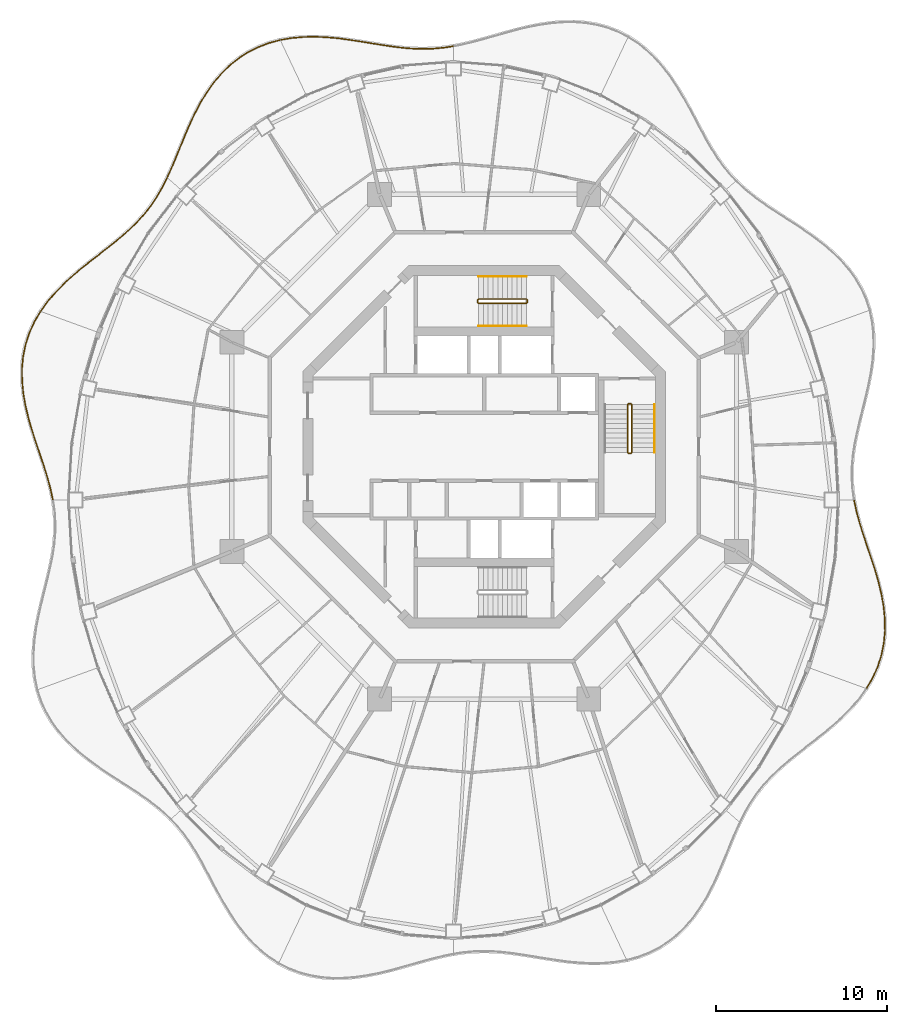
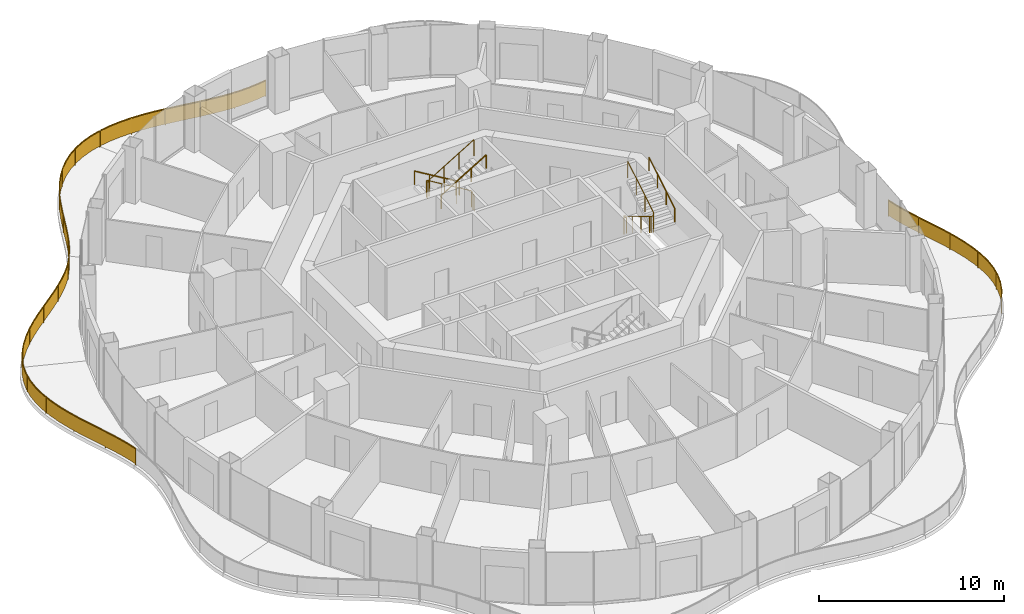
# One storey, part 16 of 17: 10 railings.
"""IFC4 building model written with IfcOpenShell, lengths in metres."""

from ifc_helpers import new_model, si_unit, direction, frame, origin, origin_2d, place, context, subcontext, project, spatial, polyline, rectangle, circle, outline, extrude, material, type_object, element, save


model = new_model("IFC4")

# Units and contexts
model_context = context("Model", 3, precision=1e-05, world=origin(), true_north=direction((0.0, 1.0)))
body_context = subcontext(model_context, "Body", "Model", "MODEL_VIEW")
ifc_project = project(units=[si_unit("LENGTHUNIT", "METRE"), si_unit("AREAUNIT", "SQUARE_METRE"), si_unit("VOLUMEUNIT", "CUBIC_METRE"), si_unit("PLANEANGLEUNIT", "RADIAN"), si_unit("MASSUNIT", "GRAM", prefix="KILO")], contexts=[model_context])

# Site, building, storey
site_placement = place(None, origin())
site = spatial("IfcSite", under=ifc_project, at=site_placement, CompositionType="ELEMENT")
building_placement = place(site_placement, origin())
building = spatial("IfcBuilding", under=site, at=building_placement, Name="Nagisa Residences", CompositionType="ELEMENT")
storey_placement = place(building_placement, frame((0.0, 0.0, 288.10009765625)))
storey = spatial("IfcBuildingStorey", under=building, at=storey_placement, Name="L73", CompositionType="ELEMENT", Elevation=288.10009765625)

# Railings
ifc_material_1 = material(Name="Stainless steel 316", Category="steel")
railing_type_1 = type_object("IfcRailingType", Name="BALCONY GUARD 1100", PredefinedType="BALUSTRADE", material=ifc_material_1)
railing_1_placement = place(storey_placement, frame((-1.83447265625, 23.455810546875, 0.0)))
element("IfcRailing", 1, at=railing_1_placement, inside=storey, type_object=railing_type_1, Name="guard:L73:bal04-0", PredefinedType="BALUSTRADE", context=body_context, shape_type="SweptSolid", body=[
    extrude(outline(polyline([(-0.53759765625, -0.106689453125), (0.003662109375, -0.024658203125), (-0.003662109375, 0.024658203125), (-0.54345703125, -0.056884765625), (-1.123779296875, -0.11083984375), (-1.705810546875, -0.130126953125), (-2.29345703125, -0.1162109375), (-2.889892578125, -0.0712890625), (-3.480712890625, 0.002197265625), (-4.10302734375, 0.092529296875), (-4.740478515625, 0.1953125), (-5.392578125, 0.301513671875), (-6.05810546875, 0.402099609375), (-6.71826171875, 0.49267578125), (-7.4033203125, 0.5537109375), (-8.091796875, 0.58154296875), (-8.77880859375, 0.5673828125), (-9.458251953125, 0.50537109375), (-10.07763671875, 0.39892578125), (-10.0693359375, 0.349609375), (-9.451904296875, 0.45556640625), (-8.77587890625, 0.517578125), (-8.09228515625, 0.53125), (-7.40673828125, 0.50390625), (-6.72412109375, 0.44287109375), (-6.0654296875, 0.352783203125), (-5.400390625, 0.252197265625), (-4.748291015625, 0.14599609375), (-4.11083984375, 0.043212890625), (-3.487548828125, -0.047607421875), (-2.894775390625, -0.12109375), (-2.2958984375, -0.166015625), (-1.705810546875, -0.180419921875), (-1.120849609375, -0.16064453125), (-0.53759765625, -0.106689453125)])), frame((0.0, 0.0, 1.050048828125)), (0.0, 0.0, 1.0), 0.050048828125),
    extrude(outline(polyline([(-0.539794921875, -0.088623046875), (0.0009765625, -0.0068359375), (-0.0009765625, 0.0068359375), (-0.541259765625, -0.074951171875), (-1.122802734375, -0.128662109375), (-1.705810546875, -0.148193359375), (-2.29443359375, -0.134033203125), (-2.8916015625, -0.089111328125), (-3.483154296875, -0.015869140625), (-4.10595703125, 0.07470703125), (-4.7431640625, 0.177490234375), (-5.3955078125, 0.28369140625), (-6.060791015625, 0.38427734375), (-6.720458984375, 0.474609375), (-7.404541015625, 0.535888671875), (-8.092041015625, 0.5634765625), (-8.77783203125, 0.549560546875), (-9.4560546875, 0.4873046875), (-10.07470703125, 0.381103515625), (-10.072265625, 0.367431640625), (-9.4541015625, 0.4736328125), (-8.77685546875, 0.535400390625), (-8.092041015625, 0.54931640625), (-7.405517578125, 0.521728515625), (-6.721923828125, 0.4609375), (-6.062744140625, 0.37060546875), (-5.3974609375, 0.27001953125), (-4.74560546875, 0.163818359375), (-4.10791015625, 0.06103515625), (-3.485107421875, -0.029541015625), (-2.89306640625, -0.103271484375), (-2.294921875, -0.148193359375), (-1.705810546875, -0.162353515625), (-1.121826171875, -0.142822265625), (-0.539794921875, -0.088623046875)])), frame((0.0, 0.0, 0.06005859375)), (0.0, 0.0, 1.0), 0.989990234375),
    extrude(rectangle(XDim=0.0400390625, YDim=0.0400390625, at=origin_2d()), origin(), (0.0, 0.0, 1.0), 1.050048828125),
    extrude(rectangle(XDim=0.0400390625, YDim=0.0400390625, at=origin_2d()), frame((-2.019287109375, -0.147705078125, 0.0)), (0.0, 0.0, 1.0), 1.050048828125),
    extrude(rectangle(XDim=0.0400390625, YDim=0.0400390625, at=origin_2d()), frame((-4.035400390625, 0.057373046875, 0.0)), (0.0, 0.0, 1.0), 1.050048828125),
    extrude(rectangle(XDim=0.0400390625, YDim=0.0400390625, at=origin_2d()), frame((-6.038818359375, 0.3740234375, 0.0)), (0.0, 0.0, 1.0), 1.050048828125),
    extrude(rectangle(XDim=0.0400390625, YDim=0.0400390625, at=origin_2d()), frame((-8.057373046875, 0.554931640625, 0.0)), (0.0, 0.0, 1.0), 1.050048828125),
    extrude(rectangle(XDim=0.0400390625, YDim=0.0400390625, at=origin_2d()), frame((-10.073486328125, 0.374267578125, 0.0)), (0.0, 0.0, 1.0), 1.050048828125),
])
railing_2_placement = place(storey_placement, frame((-11.983642578125, 23.813720703125, 0.0)))
element("IfcRailing", 2, at=railing_2_placement, inside=storey, type_object=railing_type_1, Name="guard:L73:bal05-0", PredefinedType="BALUSTRADE", context=body_context, shape_type="SweptSolid", body=[
    extrude(outline(polyline([(-0.615966796875, -0.191162109375), (0.006591796875, -0.024169921875), (-0.006591796875, 0.024169921875), (-0.631591796875, -0.143310546875), (-1.276123046875, -0.389892578125), (-1.887451171875, -0.701416015625), (-2.4619140625, -1.076171875), (-2.992431640625, -1.509033203125), (-3.47119140625, -1.98974609375), (-3.917236328125, -2.525634765625), (-4.3212890625, -3.100341796875), (-4.685302734375, -3.70556640625), (-5.014404296875, -4.33203125), (-5.30126953125, -4.95947265625), (-5.577392578125, -5.6005859375), (-5.83837890625, -6.236572265625), (-6.09228515625, -6.860107421875), (-6.347412109375, -7.46484375), (-6.59228515625, -8.008056640625), (-6.546875, -8.028564453125), (-6.301513671875, -7.48486328125), (-6.0458984375, -6.879150390625), (-5.7919921875, -6.255615234375), (-5.531494140625, -5.6201171875), (-5.25537109375, -4.97998046875), (-4.969482421875, -4.35400390625), (-4.641845703125, -3.72998046875), (-4.279296875, -3.127685546875), (-3.877685546875, -2.555908203125), (-3.43408203125, -2.0234375), (-2.958740234375, -1.546142578125), (-2.43212890625, -1.11669921875), (-1.862548828125, -0.744873046875), (-1.255615234375, -0.435791015625), (-0.615966796875, -0.191162109375)])), frame((0.0, 0.0, 1.050048828125)), (0.0, 0.0, 1.0), 0.050048828125),
    extrude(outline(polyline([(-0.62158203125, -0.173828125), (0.001708984375, -0.0068359375), (-0.001708984375, 0.0068359375), (-0.6259765625, -0.16064453125), (-1.268798828125, -0.406494140625), (-1.87841796875, -0.717041015625), (-2.451171875, -1.0908203125), (-2.980224609375, -1.5224609375), (-3.457763671875, -2.001953125), (-3.903076171875, -2.53662109375), (-4.30615234375, -3.110107421875), (-4.669677734375, -3.71435546875), (-4.998291015625, -4.33984375), (-5.28466796875, -4.966796875), (-5.560791015625, -5.607666015625), (-5.82177734375, -6.243408203125), (-6.075439453125, -6.866943359375), (-6.330810546875, -7.47216796875), (-6.575927734375, -8.015380859375), (-6.563232421875, -8.021240234375), (-6.318115234375, -7.4775390625), (-6.062744140625, -6.872314453125), (-5.80859375, -6.248779296875), (-5.548095703125, -5.613037109375), (-5.27197265625, -4.97265625), (-4.985595703125, -4.34619140625), (-4.657470703125, -3.72119140625), (-4.29443359375, -3.117919921875), (-3.891845703125, -2.544921875), (-3.447509765625, -2.01123046875), (-2.970947265625, -1.53271484375), (-2.44287109375, -1.10205078125), (-1.87158203125, -0.729248046875), (-1.262939453125, -0.419189453125), (-0.62158203125, -0.173828125)])), frame((0.0, 0.0, 0.06005859375)), (0.0, 0.0, 1.0), 0.989990234375),
    extrude(rectangle(XDim=0.0400390625, YDim=0.0400390625, at=origin_2d()), origin(), (0.0, 0.0, 1.0), 1.050048828125),
    extrude(rectangle(XDim=0.0400390625, YDim=0.0400390625, at=origin_2d()), frame((-2.005615234375, -0.808349609375, 0.0)), (0.0, 0.0, 1.0), 1.050048828125),
    extrude(rectangle(XDim=0.0400390625, YDim=0.0400390625, at=origin_2d()), frame((-3.63671875, -2.227783203125, 0.0)), (0.0, 0.0, 1.0), 1.050048828125),
    extrude(rectangle(XDim=0.0400390625, YDim=0.0400390625, at=origin_2d()), frame((-4.8310546875, -4.036865234375, 0.0)), (0.0, 0.0, 1.0), 1.050048828125),
    extrude(rectangle(XDim=0.0400390625, YDim=0.0400390625, at=origin_2d()), frame((-5.7216796875, -6.017822265625, 0.0)), (0.0, 0.0, 1.0), 1.050048828125),
    extrude(rectangle(XDim=0.0400390625, YDim=0.0400390625, at=origin_2d()), frame((-6.569580078125, -8.018310546875, 0.0)), (0.0, 0.0, 1.0), 1.050048828125),
])
railing_3_placement = place(storey_placement, frame((-18.58251953125, 15.7294921875, 0.0)))
element("IfcRailing", 3, at=railing_3_placement, inside=storey, type_object=railing_type_1, Name="guard:L73:bal06-0", PredefinedType="BALUSTRADE", context=body_context, shape_type="SweptSolid", body=[
    extrude(outline(polyline([(-0.25341796875, -0.556884765625), (0.022216796875, -0.01123046875), (-0.022216796875, 0.01123046875), (-0.29736328125, -0.532958984375), (-0.617919921875, -1.0849609375), (-0.969970703125, -1.606689453125), (-1.357421875, -2.100830078125), (-1.78271484375, -2.57080078125), (-2.236328125, -3.009033203125), (-2.73291015625, -3.44677734375), (-3.259033203125, -3.87744140625), (-3.80810546875, -4.30859375), (-4.370849609375, -4.746337890625), (-4.930908203125, -5.18408203125), (-5.490478515625, -5.65380859375), (-6.03076171875, -6.146728515625), (-6.540771484375, -6.66650390625), (-7.009033203125, -7.21533203125), (-7.399658203125, -7.754638671875), (-7.359130859375, -7.783935546875), (-6.969482421875, -7.24609375), (-6.503662109375, -6.7001953125), (-5.99609375, -6.182861328125), (-5.457275390625, -5.69140625), (-4.899169921875, -5.22314453125), (-4.340087890625, -4.785888671875), (-3.77734375, -4.34814453125), (-3.227783203125, -3.91650390625), (-2.70068359375, -3.48486328125), (-2.2021484375, -3.045654296875), (-1.74658203125, -2.60546875), (-1.3193359375, -2.133056640625), (-0.929443359375, -1.635986328125), (-0.575439453125, -1.111328125), (-0.25341796875, -0.556884765625)])), frame((0.0, 0.0, 1.050048828125)), (0.0, 0.0, 1.0), 0.050048828125),
    extrude(outline(polyline([(-0.269287109375, -0.54833984375), (0.00634765625, -0.003173828125), (-0.00634765625, 0.003173828125), (-0.281494140625, -0.54150390625), (-0.6025390625, -1.094482421875), (-0.955322265625, -1.6171875), (-1.34375, -2.112548828125), (-1.769775390625, -2.583251953125), (-2.223876953125, -3.022216796875), (-2.721435546875, -3.46044921875), (-3.247802734375, -3.8916015625), (-3.797119140625, -4.32275390625), (-4.35986328125, -4.760498046875), (-4.91943359375, -5.1982421875), (-5.478515625, -5.667236328125), (-6.018310546875, -6.15966796875), (-6.52734375, -6.6787109375), (-6.994873046875, -7.226318359375), (-7.385009765625, -7.76513671875), (-7.373779296875, -7.7734375), (-6.983642578125, -7.235107421875), (-6.51708984375, -6.68798828125), (-6.008544921875, -6.169921875), (-5.46923828125, -5.677978515625), (-4.91064453125, -5.208984375), (-4.35107421875, -4.771728515625), (-3.788330078125, -4.333984375), (-3.239013671875, -3.90234375), (-2.712158203125, -3.47119140625), (-2.214599609375, -3.032470703125), (-1.759521484375, -2.593017578125), (-1.3330078125, -2.121337890625), (-0.944091796875, -1.62548828125), (-0.5908203125, -1.101806640625), (-0.269287109375, -0.54833984375)])), frame((0.0, 0.0, 0.06005859375)), (0.0, 0.0, 1.0), 0.989990234375),
    extrude(rectangle(XDim=0.0400390625, YDim=0.0400390625, at=origin_2d()), origin(), (0.0, 0.0, 1.0), 1.050048828125),
    extrude(rectangle(XDim=0.0400390625, YDim=0.0400390625, at=origin_2d()), frame((-1.12353515625, -1.843017578125, 0.0)), (0.0, 0.0, 1.0), 1.050048828125),
    extrude(rectangle(XDim=0.0400390625, YDim=0.0400390625, at=origin_2d()), frame((-2.6298828125, -3.38916015625, 0.0)), (0.0, 0.0, 1.0), 1.050048828125),
    extrude(rectangle(XDim=0.0400390625, YDim=0.0400390625, at=origin_2d()), frame((-4.320068359375, -4.738525390625, 0.0)), (0.0, 0.0, 1.0), 1.050048828125),
    extrude(rectangle(XDim=0.0400390625, YDim=0.0400390625, at=origin_2d()), frame((-5.97509765625, -6.129638671875, 0.0)), (0.0, 0.0, 1.0), 1.050048828125),
    extrude(rectangle(XDim=0.0400390625, YDim=0.0400390625, at=origin_2d()), frame((-7.37939453125, -7.769287109375, 0.0)), (0.0, 0.0, 1.0), 1.050048828125),
])
railing_4_placement = place(storey_placement, frame((-26.004638671875, 7.895751953125, 0.0)))
element("IfcRailing", 4, at=railing_4_placement, inside=storey, type_object=railing_type_1, Name="guard:L73:bal07-0", PredefinedType="BALUSTRADE", context=body_context, shape_type="SweptSolid", body=[
    extrude(outline(polyline([(-0.321533203125, -0.5966796875), (0.021484375, -0.0126953125), (-0.021484375, 0.0126953125), (-0.365966796875, -0.57373046875), (-0.662353515625, -1.22998046875), (-0.882568359375, -1.91162109375), (-1.025634765625, -2.614501953125), (-1.091796875, -3.33349609375), (-1.08203125, -4.049560546875), (-1.010009765625, -4.783935546875), (-0.88037109375, -5.5185546875), (-0.705322265625, -6.248046875), (-0.49658203125, -6.96923828125), (-0.266357421875, -7.665283203125), (-0.031494140625, -8.3623046875), (0.1962890625, -9.045166015625), (0.404541015625, -9.715576171875), (0.58203125, -10.37451171875), (0.712646484375, -10.984375), (0.761474609375, -10.97412109375), (0.630859375, -10.36279296875), (0.452392578125, -9.701416015625), (0.244140625, -9.030029296875), (0.015869140625, -8.34619140625), (-0.218994140625, -7.649658203125), (-0.44873046875, -6.95458984375), (-0.656982421875, -6.2353515625), (-0.83154296875, -5.50830078125), (-0.960205078125, -4.777099609375), (-1.0322265625, -4.046630859375), (-1.04150390625, -3.33544921875), (-0.975830078125, -2.621826171875), (-0.834228515625, -1.92431640625), (-0.615478515625, -1.248046875), (-0.321533203125, -0.5966796875)])), frame((0.0, 0.0, 1.050048828125)), (0.0, 0.0, 1.0), 0.050048828125),
    extrude(outline(polyline([(-0.33740234375, -0.58837890625), (0.006103515625, -0.003662109375), (-0.006103515625, 0.003662109375), (-0.35009765625, -0.58203125), (-0.6455078125, -1.236572265625), (-0.865234375, -1.916259765625), (-1.007568359375, -2.6171875), (-1.07373046875, -3.334228515625), (-1.064208984375, -4.048583984375), (-0.991943359375, -4.781494140625), (-0.86279296875, -5.514892578125), (-0.68798828125, -6.243408203125), (-0.479248046875, -6.9638671875), (-0.249267578125, -7.65966796875), (-0.014404296875, -8.3564453125), (0.213623046875, -9.039794921875), (0.421630859375, -9.71044921875), (0.599609375, -10.370361328125), (0.730224609375, -10.980712890625), (0.743896484375, -10.977783203125), (0.61328125, -10.366943359375), (0.435302734375, -9.70654296875), (0.226806640625, -9.035400390625), (-0.001220703125, -8.35205078125), (-0.236083984375, -7.6552734375), (-0.466064453125, -6.9599609375), (-0.67431640625, -6.239990234375), (-0.84912109375, -5.511962890625), (-0.978271484375, -4.779541015625), (-1.050048828125, -4.047607421875), (-1.0595703125, -3.334716796875), (-0.993896484375, -2.619140625), (-0.8515625, -1.919677734375), (-0.63232421875, -1.241455078125), (-0.33740234375, -0.58837890625)])), frame((0.0, 0.0, 0.06005859375)), (0.0, 0.0, 1.0), 0.989990234375),
    extrude(rectangle(XDim=0.0400390625, YDim=0.0400390625, at=origin_2d()), origin(), (0.0, 0.0, 1.0), 1.050048828125),
    extrude(rectangle(XDim=0.0400390625, YDim=0.0400390625, at=origin_2d()), frame((-0.893798828125, -2.091796875, 0.0)), (0.0, 0.0, 1.0), 1.050048828125),
    extrude(rectangle(XDim=0.0400390625, YDim=0.0400390625, at=origin_2d()), frame((-1.026123046875, -4.363525390625, 0.0)), (0.0, 0.0, 1.0), 1.050048828125),
    extrude(rectangle(XDim=0.0400390625, YDim=0.0400390625, at=origin_2d()), frame((-0.576904296875, -6.6015625, 0.0)), (0.0, 0.0, 1.0), 1.050048828125),
    extrude(rectangle(XDim=0.0400390625, YDim=0.0400390625, at=origin_2d()), frame((0.1328125, -8.775390625, 0.0)), (0.0, 0.0, 1.0), 1.050048828125),
    extrude(rectangle(XDim=0.0400390625, YDim=0.0400390625, at=origin_2d()), frame((0.737060546875, -10.979248046875, 0.0)), (0.0, 0.0, 1.0), 1.050048828125),
])
railing_5_placement = place(storey_placement, frame((22.404541015625, -14.131103515625, 0.0)))
element("IfcRailing", 5, at=railing_5_placement, inside=storey, type_object=railing_type_1, Name="guard:L73:bal15-0", PredefinedType="BALUSTRADE", context=body_context, shape_type="SweptSolid", body=[
    extrude(outline(polyline([(0.32177734375, 0.5966796875), (-0.021484375, 0.0126953125), (0.021484375, -0.0126953125), (0.3662109375, 0.57373046875), (0.662353515625, 1.229736328125), (0.8828125, 1.91162109375), (1.02587890625, 2.614501953125), (1.092041015625, 3.33349609375), (1.082275390625, 4.04931640625), (1.010009765625, 4.783935546875), (0.880615234375, 5.518310546875), (0.705322265625, 6.248046875), (0.49658203125, 6.96923828125), (0.266357421875, 7.665283203125), (0.031494140625, 8.362060546875), (-0.196044921875, 9.045166015625), (-0.404541015625, 9.715576171875), (-0.58203125, 10.374267578125), (-0.71240234375, 10.984375), (-0.76123046875, 10.97412109375), (-0.630859375, 10.362548828125), (-0.452392578125, 9.701416015625), (-0.243896484375, 9.030029296875), (-0.015869140625, 8.345947265625), (0.218994140625, 7.649658203125), (0.44873046875, 6.95458984375), (0.656982421875, 6.2353515625), (0.831787109375, 5.508056640625), (0.960205078125, 4.777099609375), (1.032470703125, 4.04638671875), (1.041748046875, 3.33544921875), (0.97607421875, 2.621826171875), (0.83447265625, 1.92431640625), (0.615478515625, 1.247802734375), (0.32177734375, 0.5966796875)])), frame((0.0, 0.0, 1.050048828125)), (0.0, 0.0, 1.0), 0.050048828125),
    extrude(outline(polyline([(0.337890625, 0.58837890625), (-0.006103515625, 0.003662109375), (0.006103515625, -0.003662109375), (0.35009765625, 0.58203125), (0.6455078125, 1.236328125), (0.865478515625, 1.916259765625), (1.0078125, 2.6171875), (1.073974609375, 3.334228515625), (1.064453125, 4.04833984375), (0.991943359375, 4.781494140625), (0.863037109375, 5.5146484375), (0.68798828125, 6.243408203125), (0.479248046875, 6.9638671875), (0.249267578125, 7.65966796875), (0.014404296875, 8.356201171875), (-0.21337890625, 9.039794921875), (-0.421630859375, 9.71044921875), (-0.599609375, 10.3701171875), (-0.72998046875, 10.980712890625), (-0.74365234375, 10.977783203125), (-0.61328125, 10.36669921875), (-0.435302734375, 9.70654296875), (-0.2265625, 9.035400390625), (0.001220703125, 8.351806640625), (0.236083984375, 7.6552734375), (0.466064453125, 6.9599609375), (0.67431640625, 6.239990234375), (0.849365234375, 5.51171875), (0.978271484375, 4.779541015625), (1.05029296875, 4.04736328125), (1.059814453125, 3.334716796875), (0.994140625, 2.619140625), (0.851806640625, 1.919677734375), (0.63232421875, 1.2412109375), (0.337890625, 0.58837890625)])), frame((0.0, 0.0, 0.06005859375)), (0.0, 0.0, 1.0), 0.989990234375),
    extrude(rectangle(XDim=0.0400390625, YDim=0.0400390625, at=origin_2d()), origin(), (0.0, 0.0, 1.0), 1.050048828125),
    extrude(rectangle(XDim=0.0400390625, YDim=0.0400390625, at=origin_2d()), frame((0.89404296875, 2.091796875, 0.0)), (0.0, 0.0, 1.0), 1.050048828125),
    extrude(rectangle(XDim=0.0400390625, YDim=0.0400390625, at=origin_2d()), frame((1.0263671875, 4.36328125, 0.0)), (0.0, 0.0, 1.0), 1.050048828125),
    extrude(rectangle(XDim=0.0400390625, YDim=0.0400390625, at=origin_2d()), frame((0.576904296875, 6.6015625, 0.0)), (0.0, 0.0, 1.0), 1.050048828125),
    extrude(rectangle(XDim=0.0400390625, YDim=0.0400390625, at=origin_2d()), frame((-0.132568359375, 8.775390625, 0.0)), (0.0, 0.0, 1.0), 1.050048828125),
    extrude(rectangle(XDim=0.0400390625, YDim=0.0400390625, at=origin_2d()), frame((-0.73681640625, 10.979248046875, 0.0)), (0.0, 0.0, 1.0), 1.050048828125),
])
ifc_material_2 = material(Name="Stainless steel", Category="steel")
railing_type_2 = type_object("IfcRailingType", Name="Stair guard 1100", PredefinedType="GUARDRAIL", material=ifc_material_2)
railing_6_placement = place(storey_placement, frame((8.599609375, 2.52490234375, 0.0)))
element("IfcRailing", 6, at=railing_6_placement, inside=storey, type_object=railing_type_2, Name="L73 ST-E stair guard 1", PredefinedType="GUARDRAIL", context=body_context, shape_type="SweptSolid", body=[
    extrude(circle(Radius=0.02392578125, at=origin_2d()), frame((0.0, 0.0, 1.076171875), z_axis=(-1.0, 0.0, 0.0), x_axis=(0.0, -1.0, 0.0)), (0.0, 0.0, 1.0), 0.14990234375),
    extrude(circle(Radius=0.02392578125, at=origin_2d()), frame((-0.14990234375, 0.0, 1.076171875), z_axis=(-0.274683208305, -0.273343290215, 0.921863645432), x_axis=(0.705375805398, -0.708833529934, 0.0)), (0.0, 0.0, 1.0), 0.18212890625),
    extrude(circle(Radius=0.02392578125, at=origin_2d()), frame((-0.199951171875, -0.0498046875, 1.244140625), z_axis=(0.0, -0.857242210791, 0.514913383045), x_axis=(1.0, 0.0, 0.0)), (0.0, 0.0, 1.0), 3.266357421875),
    extrude(circle(Radius=0.02392578125, at=origin_2d()), frame((-0.199951171875, -2.849853515625, 2.92578125), z_axis=(0.707106781187, -0.707106781187, 0.0), x_axis=(0.707106781187, 0.707106781187, 0.0)), (0.0, 0.0, 1.0), 0.07080078125),
    extrude(circle(Radius=0.02392578125, at=origin_2d()), frame((-0.14990234375, -2.89990234375, 2.92578125), z_axis=(1.0, 0.0, 0.0), x_axis=(0.0, 1.0, 0.0)), (0.0, 0.0, 1.0), 0.14990234375),
    extrude(circle(Radius=0.02392578125, at=origin_2d()), frame((0.0, -2.89990234375, 2.92578125), z_axis=(0.274243871929, 0.274243871929, 0.92172696468), x_axis=(-0.707106781187, 0.707106781187, 0.0)), (0.0, 0.0, 1.0), 0.1826171875),
    extrude(circle(Radius=0.02392578125, at=origin_2d()), frame((0.050048828125, -2.849853515625, 3.09423828125), z_axis=(0.0, 0.857242210791, 0.514913383045), x_axis=(-1.0, 0.0, 0.0)), (0.0, 0.0, 1.0), 3.266357421875),
    extrude(circle(Radius=0.02099609375, at=origin_2d()), origin(), (0.0, 0.0, 1.0), 1.052001953125),
    extrude(circle(Radius=0.02099609375, at=origin_2d()), frame((-0.14990234375, 0.0, 0.0)), (0.0, 0.0, 1.0), 1.052001953125),
    extrude(circle(Radius=0.02099609375, at=origin_2d()), frame((-0.199951171875, -0.0498046875, 0.16796875)), (0.0, 0.0, 1.0), 1.052001953125),
    extrude(circle(Radius=0.02099609375, at=origin_2d()), frame((-0.199951171875, -0.983154296875, 0.728515625)), (0.0, 0.0, 1.0), 1.052001953125),
    extrude(circle(Radius=0.02099609375, at=origin_2d()), frame((-0.199951171875, -1.91650390625, 1.289306640625)), (0.0, 0.0, 1.0), 1.052001953125),
    extrude(circle(Radius=0.02099609375, at=origin_2d()), frame((-0.199951171875, -2.849853515625, 1.849853515625)), (0.0, 0.0, 1.0), 1.052001953125),
    extrude(circle(Radius=0.02099609375, at=origin_2d()), frame((-0.14990234375, -2.89990234375, 1.849853515625)), (0.0, 0.0, 1.0), 1.052001953125),
    extrude(circle(Radius=0.02099609375, at=origin_2d()), frame((0.0, -2.89990234375, 1.849853515625)), (0.0, 0.0, 1.0), 1.052001953125),
    extrude(circle(Radius=0.02099609375, at=origin_2d()), frame((0.050048828125, -2.849853515625, 2.01806640625)), (0.0, 0.0, 1.0), 1.052001953125),
    extrude(circle(Radius=0.02099609375, at=origin_2d()), frame((0.050048828125, -1.91650390625, 2.57861328125)), (0.0, 0.0, 1.0), 1.052001953125),
    extrude(circle(Radius=0.02099609375, at=origin_2d()), frame((0.050048828125, -0.983154296875, 3.139404296875)), (0.0, 0.0, 1.0), 1.052001953125),
    extrude(circle(Radius=0.02099609375, at=origin_2d()), frame((0.050048828125, -0.0498046875, 3.699951171875)), (0.0, 0.0, 1.0), 1.052001953125),
])
railing_7_placement = place(storey_placement, frame((2.52490234375, 8.44970703125, 0.0)))
element("IfcRailing", 7, at=railing_7_placement, inside=storey, type_object=railing_type_2, Name="L73 ST-N stair guard 1", PredefinedType="GUARDRAIL", context=body_context, shape_type="SweptSolid", body=[
    extrude(circle(Radius=0.02392578125, at=origin_2d()), frame((0.0, 0.0, 1.076171875), z_axis=(0.0, 1.0, 0.0), x_axis=(-1.0, 0.0, 0.0)), (0.0, 0.0, 1.0), 0.14990234375),
    extrude(circle(Radius=0.02392578125, at=origin_2d()), frame((0.0, 0.14990234375, 1.076171875), z_axis=(-0.273343290215, 0.274683208305, 0.921863645432), x_axis=(-0.708833529934, -0.705375805398, 0.0)), (0.0, 0.0, 1.0), 0.18212890625),
    extrude(circle(Radius=0.02392578125, at=origin_2d()), frame((-0.0498046875, 0.199951171875, 1.244140625), z_axis=(-0.857242210791, 0.0, 0.514913383045), x_axis=(0.0, -1.0, 0.0)), (0.0, 0.0, 1.0), 3.266357421875),
    extrude(circle(Radius=0.02392578125, at=origin_2d()), frame((-2.849853515625, 0.199951171875, 2.92578125), z_axis=(-0.707106781187, -0.707106781187, 0.0), x_axis=(0.707106781187, -0.707106781187, 0.0)), (0.0, 0.0, 1.0), 0.07080078125),
    extrude(circle(Radius=0.02392578125, at=origin_2d()), frame((-2.89990234375, 0.14990234375, 2.92578125), z_axis=(0.0, -1.0, 0.0), x_axis=(1.0, 0.0, 0.0)), (0.0, 0.0, 1.0), 0.14990234375),
    extrude(circle(Radius=0.02392578125, at=origin_2d()), frame((-2.89990234375, 0.0, 2.92578125), z_axis=(0.274243871929, -0.274243871929, 0.92172696468), x_axis=(0.707106781187, 0.707106781187, 0.0)), (0.0, 0.0, 1.0), 0.1826171875),
    extrude(circle(Radius=0.02392578125, at=origin_2d()), frame((-2.849853515625, -0.050048828125, 3.09423828125), z_axis=(0.857242210791, 0.0, 0.514913383045), x_axis=(0.0, 1.0, 0.0)), (0.0, 0.0, 1.0), 3.266357421875),
    extrude(circle(Radius=0.02099609375, at=origin_2d()), origin(), (0.0, 0.0, 1.0), 1.052001953125),
    extrude(circle(Radius=0.02099609375, at=origin_2d()), frame((0.0, 0.14990234375, 0.0)), (0.0, 0.0, 1.0), 1.052001953125),
    extrude(circle(Radius=0.02099609375, at=origin_2d()), frame((-0.0498046875, 0.199951171875, 0.16796875)), (0.0, 0.0, 1.0), 1.052001953125),
    extrude(circle(Radius=0.02099609375, at=origin_2d()), frame((-0.983154296875, 0.199951171875, 0.728515625)), (0.0, 0.0, 1.0), 1.052001953125),
    extrude(circle(Radius=0.02099609375, at=origin_2d()), frame((-1.91650390625, 0.199951171875, 1.289306640625)), (0.0, 0.0, 1.0), 1.052001953125),
    extrude(circle(Radius=0.02099609375, at=origin_2d()), frame((-2.849853515625, 0.199951171875, 1.849853515625)), (0.0, 0.0, 1.0), 1.052001953125),
    extrude(circle(Radius=0.02099609375, at=origin_2d()), frame((-2.89990234375, 0.14990234375, 1.849853515625)), (0.0, 0.0, 1.0), 1.052001953125),
    extrude(circle(Radius=0.02099609375, at=origin_2d()), frame((-2.89990234375, 0.0, 1.849853515625)), (0.0, 0.0, 1.0), 1.052001953125),
    extrude(circle(Radius=0.02099609375, at=origin_2d()), frame((-2.849853515625, -0.050048828125, 2.01806640625)), (0.0, 0.0, 1.0), 1.052001953125),
    extrude(circle(Radius=0.02099609375, at=origin_2d()), frame((-1.91650390625, -0.050048828125, 2.57861328125)), (0.0, 0.0, 1.0), 1.052001953125),
    extrude(circle(Radius=0.02099609375, at=origin_2d()), frame((-0.983154296875, -0.050048828125, 3.139404296875)), (0.0, 0.0, 1.0), 1.052001953125),
    extrude(circle(Radius=0.02099609375, at=origin_2d()), frame((-0.0498046875, -0.050048828125, 3.699951171875)), (0.0, 0.0, 1.0), 1.052001953125),
])
ifc_material_3 = material(Name="Stainless steel", Category="steel")
railing_type_3 = type_object("IfcRailingType", Name="Stair handrail 900", PredefinedType="HANDRAIL", material=ifc_material_3)
railing_8_placement = place(storey_placement, frame((9.974609375, -0.324951171875, 2.01806640625)))
element("IfcRailing", 8, at=railing_8_placement, inside=storey, type_object=railing_type_3, Name="L73 ST-E stair handrail 2", PredefinedType="HANDRAIL", context=body_context, shape_type="SweptSolid", body=[
    extrude(circle(Radius=0.02392578125, at=origin_2d()), frame((0.0, 0.0, 0.8759765625), z_axis=(0.0, 0.857242210791, 0.514913383045), x_axis=(-1.0, 0.0, 0.0)), (0.0, 0.0, 1.0), 3.266357421875),
    extrude(circle(Radius=0.02099609375, at=origin_2d()), origin(), (0.0, 0.0, 1.0), 0.851806640625),
    extrude(circle(Radius=0.02099609375, at=origin_2d()), frame((0.0, 0.933349609375, 0.560546875)), (0.0, 0.0, 1.0), 0.851806640625),
    extrude(circle(Radius=0.02099609375, at=origin_2d()), frame((0.0, 1.86669921875, 1.121337890625)), (0.0, 0.0, 1.0), 0.851806640625),
    extrude(circle(Radius=0.02099609375, at=origin_2d()), frame((0.0, 2.800048828125, 1.681884765625)), (0.0, 0.0, 1.0), 0.851806640625),
])
railing_9_placement = place(storey_placement, frame((2.47509765625, 9.974609375, 0.16796875)))
element("IfcRailing", 9, at=railing_9_placement, inside=storey, type_object=railing_type_3, Name="L73 ST-N stair handrail 1", PredefinedType="HANDRAIL", context=body_context, shape_type="SweptSolid", body=[
    extrude(circle(Radius=0.02392578125, at=origin_2d()), frame((0.0, 0.0, 0.8759765625), z_axis=(-0.857242210791, 0.0, 0.514913383045), x_axis=(0.0, -1.0, 0.0)), (0.0, 0.0, 1.0), 3.266357421875),
    extrude(circle(Radius=0.02099609375, at=origin_2d()), origin(), (0.0, 0.0, 1.0), 0.851806640625),
    extrude(circle(Radius=0.02099609375, at=origin_2d()), frame((-0.933349609375, 0.0, 0.560546875)), (0.0, 0.0, 1.0), 0.851806640625),
    extrude(circle(Radius=0.02099609375, at=origin_2d()), frame((-1.86669921875, 0.0, 1.121337890625)), (0.0, 0.0, 1.0), 0.851806640625),
    extrude(circle(Radius=0.02099609375, at=origin_2d()), frame((-2.800048828125, 0.0, 1.681884765625)), (0.0, 0.0, 1.0), 0.851806640625),
])
railing_10_placement = place(storey_placement, frame((-0.324951171875, 7.07470703125, 2.01806640625)))
element("IfcRailing", 10, at=railing_10_placement, inside=storey, type_object=railing_type_3, Name="L73 ST-N stair handrail 2", PredefinedType="HANDRAIL", context=body_context, shape_type="SweptSolid", body=[
    extrude(circle(Radius=0.02392578125, at=origin_2d()), frame((0.0, 0.0, 0.8759765625), z_axis=(0.857242210791, 0.0, 0.514913383045), x_axis=(0.0, 1.0, 0.0)), (0.0, 0.0, 1.0), 3.266357421875),
    extrude(circle(Radius=0.02099609375, at=origin_2d()), origin(), (0.0, 0.0, 1.0), 0.851806640625),
    extrude(circle(Radius=0.02099609375, at=origin_2d()), frame((0.933349609375, 0.0, 0.560546875)), (0.0, 0.0, 1.0), 0.851806640625),
    extrude(circle(Radius=0.02099609375, at=origin_2d()), frame((1.86669921875, 0.0, 1.121337890625)), (0.0, 0.0, 1.0), 0.851806640625),
    extrude(circle(Radius=0.02099609375, at=origin_2d()), frame((2.800048828125, 0.0, 1.681884765625)), (0.0, 0.0, 1.0), 0.851806640625),
])

save(model, "model.ifc")
